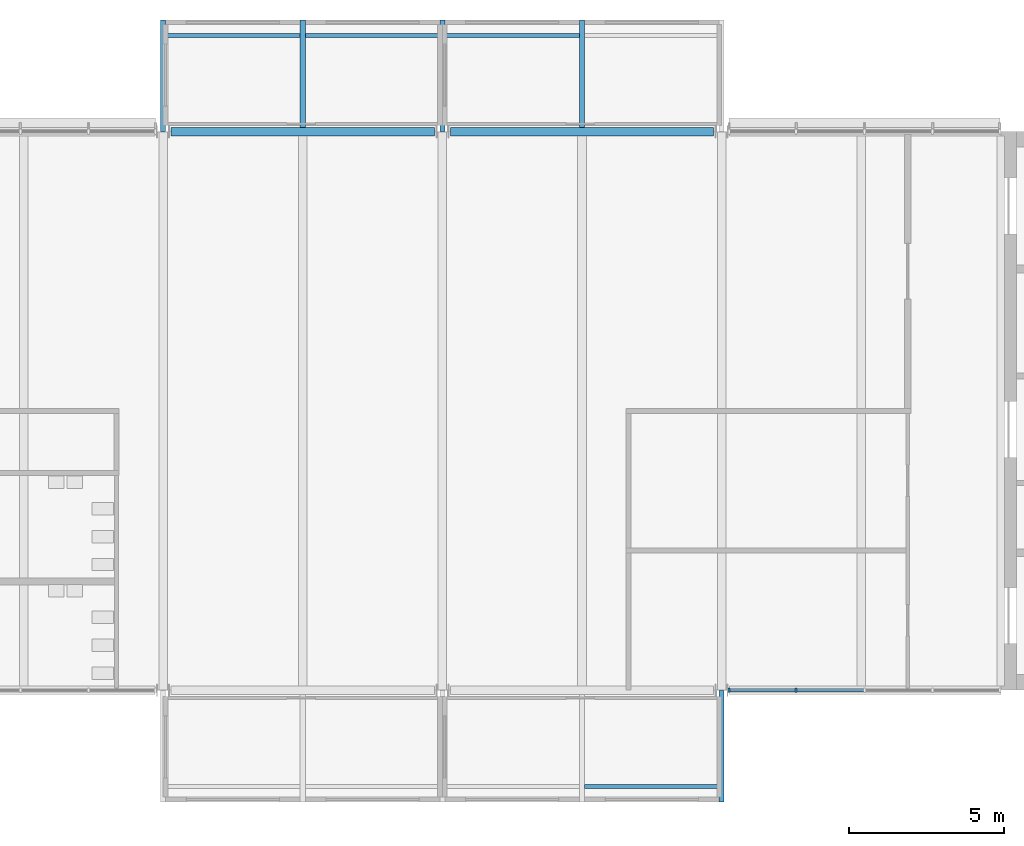
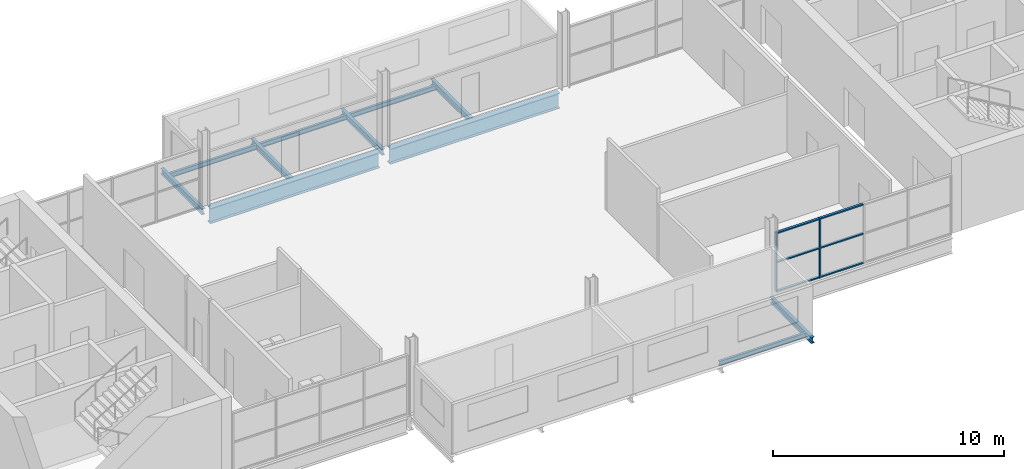
# One storey, part 2 of 10: 11 beams, 8 members, 1 element without a shape of its own.
"""IFC4 building model written with IfcOpenShell, lengths in metres."""

from ifc_helpers import new_model, si_unit, direction, frame, origin, origin_2d, place, context, subcontext, project, spatial, rectangle, i_section, extrude, material, layer, layer_set, material_profile, profile_set, type_object, element, aggregate, save


model = new_model("IFC4")

# Units and contexts
model_context = context("Model", 3, precision=1e-05, world=origin(), true_north=direction((0.0, 1.0)))
body_context = subcontext(model_context, "Body", "Model", "MODEL_VIEW")
ifc_project = project(units=[si_unit("LENGTHUNIT", "METRE"), si_unit("AREAUNIT", "SQUARE_METRE"), si_unit("VOLUMEUNIT", "CUBIC_METRE"), si_unit("PLANEANGLEUNIT", "RADIAN"), si_unit("MASSUNIT", "GRAM", prefix="KILO")], contexts=[model_context])

# Site, building, storey
site_placement = place(None, origin())
site = spatial("IfcSite", under=ifc_project, at=site_placement, CompositionType="ELEMENT")
building_placement = place(site_placement, origin())
building = spatial("IfcBuilding", under=site, at=building_placement, Name="Corbel Yard City Hall", CompositionType="ELEMENT")
storey_placement = place(building_placement, frame((0.0, 0.0, 27.199951171875)))
storey = spatial("IfcBuildingStorey", under=building, at=storey_placement, Name="L06", CompositionType="ELEMENT", Elevation=27.199951171875)

# Beams
ifc_material_1 = material(Name="Steel Grade 350", Category="steel")
ifc_material_profile_1 = material_profile(ifc_material_1, i_section(OverallWidth=0.27490234375, OverallDepth=0.81005859375, WebThickness=0.010009765625, FlangeThickness=0.02490234375, at=origin_2d()), Name="800WB168")
ifc_profile_set_1 = profile_set([ifc_material_profile_1], Name="Steel Grade 350")
beam_type_1 = type_object("IfcBeamType", Name="Edge beam 800WB168", PredefinedType="BEAM", material=ifc_profile_set_1)
for number, where, z_axis, x_axis, name in (
    (1, (18.257080078125, 117.0, -0.554931640625), (1.0, 0.0, 0.0), (0.0, 1.0, 0.0), "Edge beam 800WB168 EB3 L06tower"),
    (2, (27.257080078125, 117.0, -0.554931640625), (1.0, 0.0, 0.0), (0.0, 1.0, 0.0), "Edge beam 800WB168 EB3 L06tower"),
):
    element("IfcBeam", number, at=place(storey_placement, frame(where, z_axis=z_axis, x_axis=x_axis)), inside=storey, type_object=beam_type_1, Name=name, PredefinedType="BEAM", context=body_context, shape_type="SweptSolid", body=[
        extrude(i_section(OverallWidth=0.27490234375, OverallDepth=0.81005859375, WebThickness=0.010009765625, FlangeThickness=0.02490234375, at=origin_2d()), origin(), (0.0, 0.0, 1.0), 8.48583984375),
    ])

# Curtain wall, members
ifc_material_2 = material(Name="Aluminium extrusion", Category="aluminium")
ifc_layer = layer(ifc_material_2, 0.14990234375)
ifc_layer_set = layer_set([ifc_layer], Name="Aluminium extrusion")
curtain_wall_type = type_object("IfcCurtainWallType", Name="CW2", PredefinedType="USERDEFINED", material=ifc_layer_set)
curtain_wall_placement = place(storey_placement, origin())
curtain_wall = element("IfcCurtainWall", 3, at=curtain_wall_placement, inside=storey, type_object=curtain_wall_type, Name="Curtain wall CW2 L06", ObjectType="CURTAIN WALL", PredefinedType="USERDEFINED")
ifc_material_profile_2 = material_profile(ifc_material_2, rectangle(XDim=0.14990234375, YDim=0.06494140625, at=origin_2d()), Name="150x65")
ifc_profile_set_2 = profile_set([ifc_material_profile_2], Name="Aluminium extrusion")
member_type_1 = type_object("IfcMemberType", Name="ML2", PredefinedType="MULLION", material=ifc_profile_set_2)
member_1_placement = place(storey_placement, frame((36.239501953125, 99.0, 0.0), z_axis=(0.0, 0.0, 1.0), x_axis=(0.0, 1.0, 0.0)))
member_1 = element("IfcMember", 4, at=member_1_placement, type_object=member_type_1, Name="CW2 mullion 1", PredefinedType="MULLION", context=body_context, shape_type="SweptSolid", body=[
    extrude(rectangle(XDim=0.14990234375, YDim=0.06494140625, at=origin_2d()), origin(), (0.0, 0.0, 1.0), 3.150146484375),
])
member_2_placement = place(storey_placement, frame((38.4052734375, 99.0, 0.0), z_axis=(0.0, 0.0, 1.0), x_axis=(0.0, 1.0, 0.0)))
member_2 = element("IfcMember", 5, at=member_2_placement, type_object=member_type_1, Name="CW2 mullion 2", PredefinedType="MULLION", context=body_context, shape_type="SweptSolid", body=[
    extrude(rectangle(XDim=0.14990234375, YDim=0.06494140625, at=origin_2d()), origin(), (0.0, 0.0, 1.0), 3.150146484375),
])

# Beams
ifc_material_3 = material(Name="Steel Grade 300 (300 MPa yield)", Category="steel")
ifc_material_profile_3 = material_profile(ifc_material_3, i_section(OverallWidth=0.166015625, OverallDepth=0.306884765625, WebThickness=0.006591796875, FlangeThickness=0.01171875, at=origin_2d()), Name="310UB46.2")
ifc_profile_set_3 = profile_set([ifc_material_profile_3], Name="Steel Grade 300 (300 MPa yield)")
beam_type_2 = type_object("IfcBeamType", Name="Pod stub beam 310UB46.2", PredefinedType="BEAM", material=ifc_profile_set_3)
for number, where, z_axis, x_axis, name in (
    (6, (36.0, 95.39990234375, -0.303466796875), (0.0, 1.0, 0.0), (-1.0, 0.0, 0.0), "Pod stub 310UB46.2 CB1 L06"),
    (7, (18.0, 117.012451171875, -0.303466796875), (0.0, 1.0, 0.0), (-1.0, 0.0, 0.0), "Pod stub 310UB46.2 CB1 L06"),
):
    element("IfcBeam", number, at=place(storey_placement, frame(where, z_axis=z_axis, x_axis=x_axis)), inside=storey, type_object=beam_type_2, Name=name, PredefinedType="BEAM", context=body_context, shape_type="SweptSolid", body=[
        extrude(i_section(OverallWidth=0.166015625, OverallDepth=0.306884765625, WebThickness=0.006591796875, FlangeThickness=0.01171875, at=origin_2d()), origin(), (0.0, 0.0, 1.0), 3.587646484375),
    ])
beam_1_placement = place(storey_placement, frame((22.5, 117.137451171875, -0.303466796875), z_axis=(0.0, 1.0, 0.0), x_axis=(-1.0, 0.0, 0.0)))
element("IfcBeam", 8, at=beam_1_placement, inside=storey, type_object=beam_type_2, Name="Pod stub 310UB46.2 CB1 L06", PredefinedType="BEAM", context=body_context, shape_type="SweptSolid", body=[
    extrude(i_section(OverallWidth=0.166015625, OverallDepth=0.306884765625, WebThickness=0.006591796875, FlangeThickness=0.01171875, at=origin_2d()), origin(), (0.0, 0.0, 1.0), 3.462646484375),
])
beam_2_placement = place(storey_placement, frame((27.0, 117.012451171875, -0.303466796875), z_axis=(0.0, 1.0, 0.0), x_axis=(-1.0, 0.0, 0.0)))
element("IfcBeam", 9, at=beam_2_placement, inside=storey, type_object=beam_type_2, Name="Pod stub 310UB46.2 CB1 L06", PredefinedType="BEAM", context=body_context, shape_type="SweptSolid", body=[
    extrude(i_section(OverallWidth=0.166015625, OverallDepth=0.306884765625, WebThickness=0.006591796875, FlangeThickness=0.01171875, at=origin_2d()), origin(), (0.0, 0.0, 1.0), 3.587646484375),
])
beam_3_placement = place(storey_placement, frame((31.5, 117.137451171875, -0.303466796875), z_axis=(0.0, 1.0, 0.0), x_axis=(-1.0, 0.0, 0.0)))
element("IfcBeam", 10, at=beam_3_placement, inside=storey, type_object=beam_type_2, Name="Pod stub 310UB46.2 CB1 L06", PredefinedType="BEAM", context=body_context, shape_type="SweptSolid", body=[
    extrude(i_section(OverallWidth=0.166015625, OverallDepth=0.306884765625, WebThickness=0.006591796875, FlangeThickness=0.01171875, at=origin_2d()), origin(), (0.0, 0.0, 1.0), 3.462646484375),
])
ifc_material_profile_4 = material_profile(ifc_material_3, i_section(OverallWidth=0.1240234375, OverallDepth=0.248046875, WebThickness=0.0048828125, FlangeThickness=0.008056640625, at=origin_2d()), Name="250UB25.7")
ifc_profile_set_4 = profile_set([ifc_material_profile_4], Name="Steel Grade 300 (300 MPa yield)")
beam_type_3 = type_object("IfcBeamType", Name="Pod tip beam", PredefinedType="BEAM", material=ifc_profile_set_4)
for number, where, z_axis, x_axis, name in (
    (11, (31.5830078125, 95.89990234375, -0.27392578125), (1.0, 0.0, 0.0), (0.0, 1.0, 0.0), "Pod tip beam"),
    (12, (18.0830078125, 120.10009765625, -0.27392578125), (1.0, 0.0, 0.0), (0.0, 1.0, 0.0), "Pod tip beam"),
    (13, (22.5830078125, 120.10009765625, -0.27392578125), (1.0, 0.0, 0.0), (0.0, 1.0, 0.0), "Pod tip beam"),
    (14, (27.0830078125, 120.10009765625, -0.27392578125), (1.0, 0.0, 0.0), (0.0, 1.0, 0.0), "Pod tip beam"),
):
    element("IfcBeam", number, at=place(storey_placement, frame(where, z_axis=z_axis, x_axis=x_axis)), inside=storey, type_object=beam_type_3, Name=name, PredefinedType="BEAM", context=body_context, shape_type="SweptSolid", body=[
        extrude(i_section(OverallWidth=0.1240234375, OverallDepth=0.248046875, WebThickness=0.0048828125, FlangeThickness=0.008056640625, at=origin_2d()), origin(), (0.0, 0.0, 1.0), 4.333984375),
    ])

# Member
ifc_material_profile_5 = material_profile(ifc_material_2, rectangle(XDim=0.1201171875, YDim=0.06494140625, at=origin_2d()), Name="120x65")
ifc_profile_set_5 = profile_set([ifc_material_profile_5], Name="Aluminium extrusion")
member_type_2 = type_object("IfcMemberType", Name="TR2", PredefinedType="USERDEFINED", material=ifc_profile_set_5)
member_3_placement = place(storey_placement, frame((36.27197265625, 99.0, 0.032470703125), z_axis=(1.0, 0.0, 0.0), x_axis=(0.0, 1.0, 0.0)))
member_3 = element("IfcMember", 15, at=member_3_placement, type_object=member_type_2, Name="CW2 transom 1.1", ObjectType="TRANSOM", PredefinedType="USERDEFINED", context=body_context, shape_type="SweptSolid", body=[
    extrude(rectangle(XDim=0.1201171875, YDim=0.06494140625, at=origin_2d()), origin(), (0.0, 0.0, 1.0), 2.100830078125),
])

member_4_placement = place(storey_placement, frame((36.27197265625, 99.0, 1.574951171875), z_axis=(1.0, 0.0, 0.0), x_axis=(0.0, 1.0, 0.0)))
member_4 = element("IfcMember", 16, at=member_4_placement, type_object=member_type_2, Name="CW2 transom 1.2", ObjectType="TRANSOM", PredefinedType="USERDEFINED", context=body_context, shape_type="SweptSolid", body=[
    extrude(rectangle(XDim=0.1201171875, YDim=0.06494140625, at=origin_2d()), origin(), (0.0, 0.0, 1.0), 2.100830078125),
])

member_5_placement = place(storey_placement, frame((36.27197265625, 99.0, 3.117431640625), z_axis=(1.0, 0.0, 0.0), x_axis=(0.0, 1.0, 0.0)))
member_5 = element("IfcMember", 17, at=member_5_placement, type_object=member_type_2, Name="CW2 transom 1.3", ObjectType="TRANSOM", PredefinedType="USERDEFINED", context=body_context, shape_type="SweptSolid", body=[
    extrude(rectangle(XDim=0.1201171875, YDim=0.06494140625, at=origin_2d()), origin(), (0.0, 0.0, 1.0), 2.100830078125),
])

member_6_placement = place(storey_placement, frame((38.437744140625, 99.0, 0.032470703125), z_axis=(1.0, 0.0, 0.0), x_axis=(0.0, 1.0, 0.0)))
member_6 = element("IfcMember", 18, at=member_6_placement, type_object=member_type_2, Name="CW2 transom 2.1", ObjectType="TRANSOM", PredefinedType="USERDEFINED", context=body_context, shape_type="SweptSolid", body=[
    extrude(rectangle(XDim=0.1201171875, YDim=0.06494140625, at=origin_2d()), origin(), (0.0, 0.0, 1.0), 2.13330078125),
])

member_7_placement = place(storey_placement, frame((38.437744140625, 99.0, 1.574951171875), z_axis=(1.0, 0.0, 0.0), x_axis=(0.0, 1.0, 0.0)))
member_7 = element("IfcMember", 19, at=member_7_placement, type_object=member_type_2, Name="CW2 transom 2.2", ObjectType="TRANSOM", PredefinedType="USERDEFINED", context=body_context, shape_type="SweptSolid", body=[
    extrude(rectangle(XDim=0.1201171875, YDim=0.06494140625, at=origin_2d()), origin(), (0.0, 0.0, 1.0), 2.13330078125),
])

member_8_placement = place(storey_placement, frame((38.437744140625, 99.0, 3.117431640625), z_axis=(1.0, 0.0, 0.0), x_axis=(0.0, 1.0, 0.0)))
member_8 = element("IfcMember", 20, at=member_8_placement, type_object=member_type_2, Name="CW2 transom 2.3", ObjectType="TRANSOM", PredefinedType="USERDEFINED", context=body_context, shape_type="SweptSolid", body=[
    extrude(rectangle(XDim=0.1201171875, YDim=0.06494140625, at=origin_2d()), origin(), (0.0, 0.0, 1.0), 2.13330078125),
])

aggregate(curtain_wall, [member_1, member_2, member_3, member_4, member_5, member_6, member_7, member_8])

save(model, "model.ifc")
